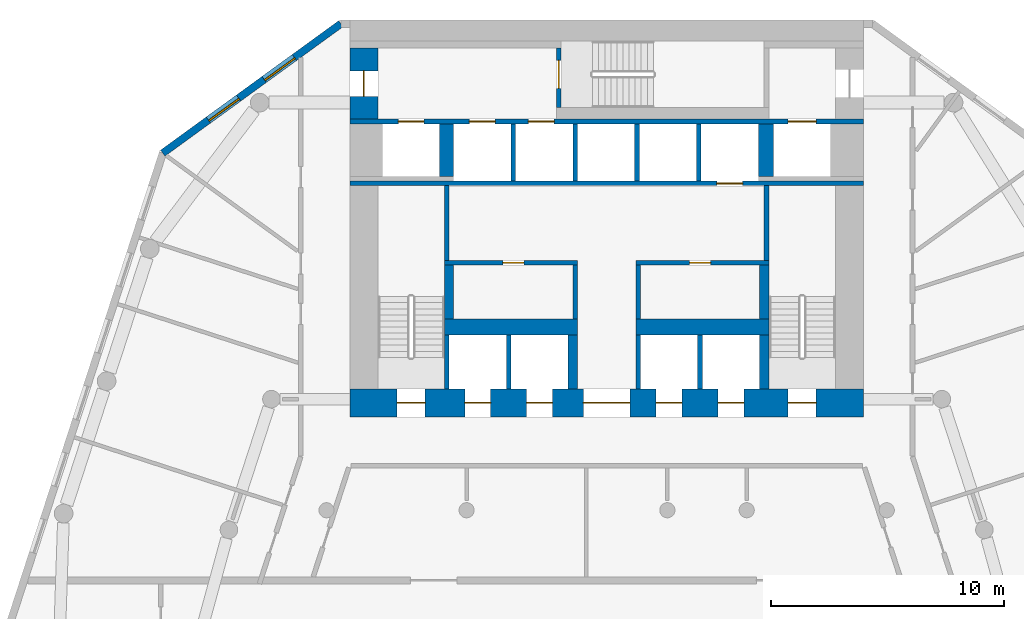
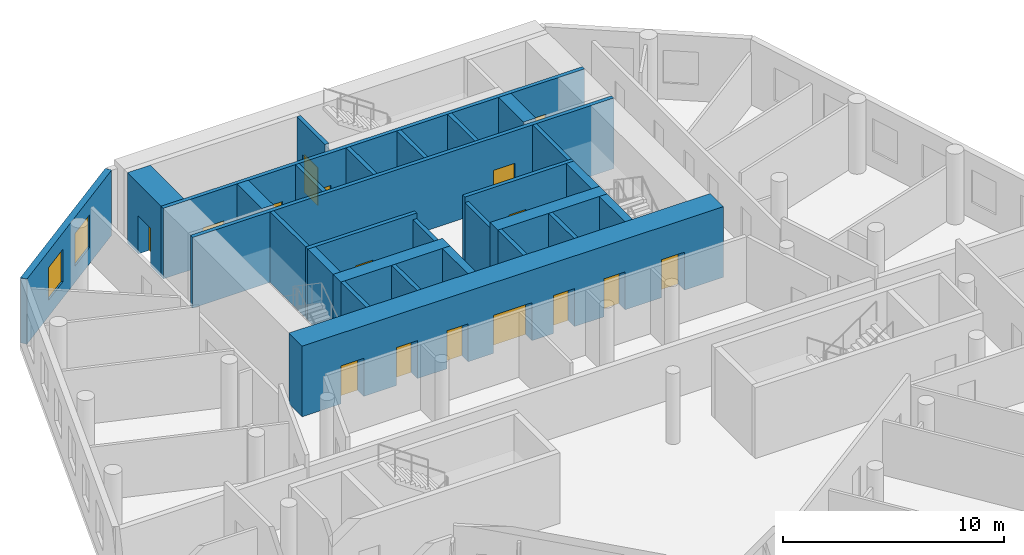
# One storey, part 5 of 9: 28 walls, 16 doors, 2 windows, 18 openings.
"""IFC4 building model written with IfcOpenShell, lengths in metres."""

from ifc_helpers import new_model, si_unit, direction, frame, frame_2d, origin, place, context, subcontext, project, spatial, rectangle, extrude, material, layer, layer_set, type_object, element, fill, save


model = new_model("IFC4")

# Units and contexts
model_context = context("Model", 3, precision=1e-05, world=origin(), true_north=direction((0.0, 1.0)))
body_context = subcontext(model_context, "Body", "Model", "MODEL_VIEW")
ifc_project = project(units=[si_unit("LENGTHUNIT", "METRE"), si_unit("AREAUNIT", "SQUARE_METRE"), si_unit("VOLUMEUNIT", "CUBIC_METRE"), si_unit("PLANEANGLEUNIT", "RADIAN"), si_unit("MASSUNIT", "GRAM", prefix="KILO")], contexts=[model_context])

# Site, building, storey
site_placement = place(None, origin())
site = spatial("IfcSite", under=ifc_project, at=site_placement, CompositionType="ELEMENT")
building_placement = place(site_placement, origin())
building = spatial("IfcBuilding", under=site, at=building_placement, Name="White Candle Pilgrim Tower", CompositionType="ELEMENT")
storey_placement = place(building_placement, frame((0.0, 0.0, 70.199951171875)))
storey = spatial("IfcBuildingStorey", under=building, at=storey_placement, Name="L14", CompositionType="ELEMENT", Elevation=70.199951171875)

# Wall, opening, door
ifc_material_1 = material(Name="Concrete C70/85", Category="concrete")
ifc_layer_1 = layer(ifc_material_1, 1.199951171875)
ifc_layer_set_1 = layer_set([ifc_layer_1], Name="Core wall 1200 mm Concrete C70/85")
wall_type_1 = type_object("IfcWallType", Name="Core wall 1200 mm Concrete C70/85", PredefinedType="SHEAR", material=ifc_layer_set_1)
wall_1_placement = place(storey_placement, frame((59.60009765625, 83.75, 0.0), z_axis=(0.0, 0.0, 1.0), x_axis=(0.0, 1.0, 0.0)))
wall_1 = element("IfcWall", 1, at=wall_1_placement, inside=storey, type_object=wall_type_1, Name="WL-L14-C42", PredefinedType="SHEAR", context=body_context, shape_type="SweptSolid", body=[
    extrude(rectangle(XDim=3.050048828125, YDim=1.199951171875, at=frame_2d((1.52490234375, 0.0))), origin(), (0.0, 0.0, 1.0), 3.900146484375),
])
opening_1_placement = place(wall_1_placement, frame((0.97509765625, 0.0, 0.0)))
opening_1 = element("IfcOpeningElement", 2, at=opening_1_placement, cuts=wall_1, Name="Opening T04-005", PredefinedType="OPENING", context=body_context, shape_type="SweptSolid", body=[
    extrude(rectangle(XDim=1.10009765625, YDim=2.10009765625, at=frame_2d((0.550048828125, 1.050048828125))), frame((0.0, 0.60986328125, 0.0), z_axis=(0.0, -1.0, 0.0), x_axis=(1.0, 0.0, 0.0)), (0.0, 0.0, 1.0), 1.219970703125),
])
ifc_material_2 = material(Name="Steel door leaf", Category="steel")
door_type_1 = type_object("IfcDoorType", Name="Fire door 1100 x 2100 EI 60", OperationType="NOTDEFINED", PredefinedType="DOOR", material=ifc_material_2)
door_1_placement = place(opening_1_placement, origin())
door_1 = element("IfcDoor", 3, at=door_1_placement, inside=storey, type_object=door_type_1, Name="Door T04-005", OperationType="SINGLE_SWING_LEFT", OverallHeight=2.10009765625, OverallWidth=1.10009765625, PredefinedType="DOOR", context=body_context, shape_type="SweptSolid", body=[
    extrude(rectangle(XDim=1.10009765625, YDim=2.10009765625, at=frame_2d((0.550048828125, 1.050048828125))), frame((0.0, 0.02490234375, 0.0), z_axis=(0.0, -1.0, 0.0), x_axis=(1.0, 0.0, 0.0)), (0.0, 0.0, 1.0), 0.050048828125),
])
fill(opening_1, door_1)

# Wall, openings, doors
ifc_layer_2 = layer(ifc_material_1, 0.199951171875)
ifc_layer_set_2 = layer_set([ifc_layer_2], Name="Core wall 200 mm Concrete C70/85")
wall_type_2 = type_object("IfcWallType", Name="Core wall 200 mm Concrete C70/85", PredefinedType="SHEAR", material=ifc_layer_set_2)
wall_2_placement = place(storey_placement, frame((59.0, 83.64990234375, 0.0), z_axis=(0.0, 0.0, 1.0), x_axis=(1.0, 0.0, 0.0)))
wall_2 = element("IfcWall", 4, at=wall_2_placement, inside=storey, type_object=wall_type_2, Name="WL-L14-C41", PredefinedType="SHEAR", context=body_context, shape_type="SweptSolid", body=[
    extrude(rectangle(XDim=22.0, YDim=0.199951171875, at=frame_2d((11.0, 0.0))), origin(), (0.0, 0.0, 1.0), 3.900146484375),
])
opening_2_placement = place(wall_2_placement, frame((5.125, 0.0, 0.0)))
opening_2 = element("IfcOpeningElement", 5, at=opening_2_placement, cuts=wall_2, Name="Opening T04-011", PredefinedType="OPENING", context=body_context, shape_type="SweptSolid", body=[
    extrude(rectangle(XDim=1.10009765625, YDim=2.10009765625, at=frame_2d((0.550048828125, 1.050048828125))), frame((0.0, 0.10986328125, 0.0), z_axis=(0.0, -1.0, 0.0), x_axis=(1.0, 0.0, 0.0)), (0.0, 0.0, 1.0), 0.219970703125),
])
opening_3_placement = place(wall_2_placement, frame((7.64990234375, 0.0, 0.0)))
opening_3 = element("IfcOpeningElement", 6, at=opening_3_placement, cuts=wall_2, Name="Opening T04-012", PredefinedType="OPENING", context=body_context, shape_type="SweptSolid", body=[
    extrude(rectangle(XDim=1.10009765625, YDim=2.10009765625, at=frame_2d((0.550048828125, 1.050048828125))), frame((0.0, 0.10986328125, 0.0), z_axis=(0.0, -1.0, 0.0), x_axis=(1.0, 0.0, 0.0)), (0.0, 0.0, 1.0), 0.219970703125),
])
opening_4_placement = place(wall_2_placement, frame((18.77490234375, 0.0, 0.0)))
opening_4 = element("IfcOpeningElement", 7, at=opening_4_placement, cuts=wall_2, Name="Opening T04-018", PredefinedType="OPENING", context=body_context, shape_type="SweptSolid", body=[
    extrude(rectangle(XDim=1.199951171875, YDim=2.10009765625, at=frame_2d((0.60009765625, 1.050048828125))), frame((0.0, 0.10986328125, 0.0), z_axis=(0.0, -1.0, 0.0), x_axis=(1.0, 0.0, 0.0)), (0.0, 0.0, 1.0), 0.219970703125),
])
opening_5_placement = place(wall_2_placement, frame((2.074951171875, 0.0, 0.0)))
opening_5 = element("IfcOpeningElement", 8, at=opening_5_placement, cuts=wall_2, Name="Opening T04-019", PredefinedType="OPENING", context=body_context, shape_type="SweptSolid", body=[
    extrude(rectangle(XDim=1.10009765625, YDim=2.10009765625, at=frame_2d((0.550048828125, 1.050048828125))), frame((0.0, 0.10986328125, 0.0), z_axis=(0.0, -1.0, 0.0), x_axis=(1.0, 0.0, 0.0)), (0.0, 0.0, 1.0), 0.219970703125),
])
ifc_material_3 = material(Name="Stainless steel", Category="steel")
door_type_2 = type_object("IfcDoorType", Name="Lift landing door 1100 x 2100 EI 60", OperationType="DOUBLE_DOOR_SLIDING", PredefinedType="DOOR", material=ifc_material_3)
door_2_placement = place(opening_2_placement, origin())
door_2 = element("IfcDoor", 9, at=door_2_placement, inside=storey, type_object=door_type_2, Name="Door T04-011", OperationType="DOUBLE_DOOR_SLIDING", OverallHeight=2.10009765625, OverallWidth=1.10009765625, PredefinedType="DOOR", context=body_context, shape_type="SweptSolid", body=[
    extrude(rectangle(XDim=1.10009765625, YDim=2.10009765625, at=frame_2d((0.550048828125, 1.050048828125))), frame((0.0, 0.02490234375, 0.0), z_axis=(0.0, -1.0, 0.0), x_axis=(1.0, 0.0, 0.0)), (0.0, 0.0, 1.0), 0.050048828125),
])
fill(opening_2, door_2)
door_3_placement = place(opening_3_placement, origin())
door_3 = element("IfcDoor", 10, at=door_3_placement, inside=storey, type_object=door_type_2, Name="Door T04-012", OperationType="DOUBLE_DOOR_SLIDING", OverallHeight=2.10009765625, OverallWidth=1.10009765625, PredefinedType="DOOR", context=body_context, shape_type="SweptSolid", body=[
    extrude(rectangle(XDim=1.10009765625, YDim=2.10009765625, at=frame_2d((0.550048828125, 1.050048828125))), frame((0.0, 0.02490234375, 0.0), z_axis=(0.0, -1.0, 0.0), x_axis=(1.0, 0.0, 0.0)), (0.0, 0.0, 1.0), 0.050048828125),
])
fill(opening_3, door_3)
door_4_placement = place(opening_5_placement, origin())
door_4 = element("IfcDoor", 11, at=door_4_placement, inside=storey, type_object=door_type_2, Name="Door T04-019", OperationType="DOUBLE_DOOR_SLIDING", OverallHeight=2.10009765625, OverallWidth=1.10009765625, PredefinedType="DOOR", context=body_context, shape_type="SweptSolid", body=[
    extrude(rectangle(XDim=1.10009765625, YDim=2.10009765625, at=frame_2d((0.550048828125, 1.050048828125))), frame((0.0, 0.02490234375, 0.0), z_axis=(0.0, -1.0, 0.0), x_axis=(1.0, 0.0, 0.0)), (0.0, 0.0, 1.0), 0.050048828125),
])
fill(opening_5, door_4)
door_type_3 = type_object("IfcDoorType", Name="Lift landing door 1200 x 2100 E 60", OperationType="DOUBLE_DOOR_SLIDING", PredefinedType="DOOR", material=ifc_material_3)
door_5_placement = place(opening_4_placement, origin())
door_5 = element("IfcDoor", 12, at=door_5_placement, inside=storey, type_object=door_type_3, Name="Door T04-018", OperationType="DOUBLE_DOOR_SLIDING", OverallHeight=2.10009765625, OverallWidth=1.199951171875, PredefinedType="DOOR", context=body_context, shape_type="SweptSolid", body=[
    extrude(rectangle(XDim=1.199951171875, YDim=2.10009765625, at=frame_2d((0.60009765625, 1.050048828125))), frame((0.0, 0.02490234375, 0.0), z_axis=(0.0, -1.0, 0.0), x_axis=(1.0, 0.0, 0.0)), (0.0, 0.0, 1.0), 0.050048828125),
])
fill(opening_4, door_5)

# Wall, openings, windows
ifc_material_4 = material(Name="Precast concrete C40/50", Category="concrete")
ifc_layer_3 = layer(ifc_material_4, 0.320068359375)
ifc_layer_set_3 = layer_set([ifc_layer_3], Name="Facade wall EW1 precast concrete C40/50 pier wall with timber-lined reveals")
wall_type_3 = type_object("IfcWallType", Name="Facade wall EW1 precast concrete C40/50 pier wall with timber-lined reveals", PredefinedType="SOLIDWALL", material=ifc_layer_set_3)
wall_3_placement = place(storey_placement, frame((58.614990234375, 87.840087890625, 0.0), z_axis=(0.0, 0.0, 1.0), x_axis=(-0.809013639072, -0.587789870443, 0.0)))
wall_3 = element("IfcWall", 13, at=wall_3_placement, inside=storey, type_object=wall_type_3, Name="Facade wall L14 NW chamfer", PredefinedType="SOLIDWALL", context=body_context, shape_type="SweptSolid", body=[
    extrude(rectangle(XDim=9.43017578125, YDim=0.320068359375, at=frame_2d((4.715087890625, 0.0))), origin(), (0.0, 0.0, 1.0), 3.60009765625),
])
opening_6_placement = place(wall_3_placement, frame((2.459716796875, 0.0, 0.89990234375)))
opening_6 = element("IfcOpeningElement", 14, at=opening_6_placement, cuts=wall_3, Name="Opening W2", PredefinedType="OPENING", context=body_context, shape_type="SweptSolid", body=[
    extrude(rectangle(XDim=1.60009765625, YDim=1.800048828125, at=frame_2d((0.800048828125, 0.89990234375))), frame((0.0, 0.169921875, 0.0), z_axis=(0.0, -1.0, 0.0), x_axis=(1.0, 0.0, 0.0)), (0.0, 0.0, 1.0), 0.340087890625),
])
opening_7_placement = place(wall_3_placement, frame((5.4150390625, 0.0, 0.89990234375)))
opening_7 = element("IfcOpeningElement", 15, at=opening_7_placement, cuts=wall_3, Name="Opening W2", PredefinedType="OPENING", context=body_context, shape_type="SweptSolid", body=[
    extrude(rectangle(XDim=1.60009765625, YDim=1.800048828125, at=frame_2d((0.800048828125, 0.89990234375))), frame((0.0, 0.169921875, 0.0), z_axis=(0.0, -1.0, 0.0), x_axis=(1.0, 0.0, 0.0)), (0.0, 0.0, 1.0), 0.340087890625),
])
ifc_material_5 = material(Name="Timber frame with triple glazing", Category="wood")
window_type = type_object("IfcWindowType", Name="Window W2 1600x1800 timber frame triple glazing", PartitioningType="SINGLE_PANEL", PredefinedType="WINDOW", material=ifc_material_5)
window_1_placement = place(opening_6_placement, origin())
window_1 = element("IfcWindow", 16, at=window_1_placement, inside=storey, type_object=window_type, Name="Window W2 L14 NW chamfer 1", OverallHeight=1.800048828125, OverallWidth=1.60009765625, PartitioningType="SINGLE_PANEL", PredefinedType="WINDOW", context=body_context, shape_type="SweptSolid", body=[
    extrude(rectangle(XDim=1.60009765625, YDim=1.800048828125, at=frame_2d((0.800048828125, 0.89990234375))), frame((0.0, 0.070068359375, 0.0), z_axis=(0.0, -1.0, 0.0), x_axis=(1.0, 0.0, 0.0)), (0.0, 0.0, 1.0), 0.06005859375),
])
fill(opening_6, window_1)
window_2_placement = place(opening_7_placement, origin())
window_2 = element("IfcWindow", 17, at=window_2_placement, inside=storey, type_object=window_type, Name="Window W2 L14 NW chamfer 2", OverallHeight=1.800048828125, OverallWidth=1.60009765625, PartitioningType="SINGLE_PANEL", PredefinedType="WINDOW", context=body_context, shape_type="SweptSolid", body=[
    extrude(rectangle(XDim=1.60009765625, YDim=1.800048828125, at=frame_2d((0.800048828125, 0.89990234375))), frame((0.0, 0.070068359375, 0.0), z_axis=(0.0, -1.0, 0.0), x_axis=(1.0, 0.0, 0.0)), (0.0, 0.0, 1.0), 0.06005859375),
])
fill(opening_7, window_2)

# Walls
ifc_material_6 = material(Name="Gypsum board on steel studs", Category="steel")
ifc_layer_4 = layer(ifc_material_6, 0.199951171875)
ifc_layer_set_4 = layer_set([ifc_layer_4], Name="Lobby wall 200 mm EI 60")
wall_type_4 = type_object("IfcWallType", Name="Lobby wall 200 mm EI 60", PredefinedType="PARTITIONING", material=ifc_layer_set_4)
for number, where, z_axis, x_axis, name in (
    (18, (68.64990234375, 75.199951171875, 0.0), (0.0, 0.0, 1.0), (0.0, 1.0, 0.0), "WL-L14-C23"),
    (19, (71.35009765625, 75.199951171875, 0.0), (0.0, 0.0, 1.0), (0.0, 1.0, 0.0), "WL-L14-C24"),
):
    element("IfcWall", number, at=place(storey_placement, frame(where, z_axis=z_axis, x_axis=x_axis)), inside=storey, type_object=wall_type_4, Name=name, PredefinedType="PARTITIONING", context=body_context, shape_type="SweptSolid", body=[
        extrude(rectangle(XDim=2.300048828125, YDim=0.199951171875, at=frame_2d((1.14990234375, 0.0))), origin(), (0.0, 0.0, 1.0), 3.60009765625),
    ])
ifc_layer_5 = layer(ifc_material_1, 0.199951171875)
ifc_layer_set_5 = layer_set([ifc_layer_5], Name="Shaft wall 200 mm Concrete C70/85")
wall_type_5 = type_object("IfcWallType", Name="Shaft wall 200 mm Concrete C70/85", PredefinedType="SHEAR", material=ifc_layer_set_5)
for number, where, z_axis, x_axis, name in (
    (20, (65.800048828125, 72.199951171875, 0.0), (0.0, 0.0, 1.0), (0.0, 1.0, 0.0), "WL-L14-C14"),
    (21, (71.35009765625, 72.199951171875, 0.0), (0.0, 0.0, 1.0), (0.0, 1.0, 0.0), "WL-L14-C16"),
    (22, (74.0, 72.199951171875, 0.0), (0.0, 0.0, 1.0), (0.0, 1.0, 0.0), "WL-L14-C17"),
):
    element("IfcWall", number, at=place(storey_placement, frame(where, z_axis=z_axis, x_axis=x_axis)), inside=storey, type_object=wall_type_5, Name=name, PredefinedType="SHEAR", context=body_context, shape_type="SweptSolid", body=[
        extrude(rectangle(XDim=2.300048828125, YDim=0.199951171875, at=frame_2d((1.14990234375, 0.0))), origin(), (0.0, 0.0, 1.0), 3.900146484375),
    ])
for number, where, z_axis, x_axis, name in (
    (23, (66.0, 81.10009765625, 0.0), (0.0, 0.0, 1.0), (0.0, 1.0, 0.0), "WL-L14-C32"),
    (24, (68.64990234375, 81.10009765625, 0.0), (0.0, 0.0, 1.0), (0.0, 1.0, 0.0), "WL-L14-C33"),
    (25, (71.300048828125, 81.10009765625, 0.0), (0.0, 0.0, 1.0), (0.0, 1.0, 0.0), "WL-L14-C34"),
    (26, (73.949951171875, 81.10009765625, 0.0), (0.0, 0.0, 1.0), (0.0, 1.0, 0.0), "WL-L14-C35"),
):
    element("IfcWall", number, at=place(storey_placement, frame(where, z_axis=z_axis, x_axis=x_axis)), inside=storey, type_object=wall_type_5, Name=name, PredefinedType="SHEAR", context=body_context, shape_type="SweptSolid", body=[
        extrude(rectangle(XDim=2.449951171875, YDim=0.199951171875, at=frame_2d((1.22509765625, 0.0))), origin(), (0.0, 0.0, 1.0), 3.900146484375),
    ])
ifc_layer_6 = layer(ifc_material_1, 0.39990234375)
ifc_layer_set_6 = layer_set([ifc_layer_6], Name="Shaft wall 400 mm Concrete C70/85")
wall_type_6 = type_object("IfcWallType", Name="Shaft wall 400 mm Concrete C70/85", PredefinedType="SHEAR", material=ifc_layer_set_6)
wall_4_placement = place(storey_placement, frame((68.550048828125, 72.199951171875, 0.0), z_axis=(0.0, 0.0, 1.0), x_axis=(0.0, 1.0, 0.0)))
element("IfcWall", 27, at=wall_4_placement, inside=storey, type_object=wall_type_6, Name="WL-L14-C15", PredefinedType="SHEAR", context=body_context, shape_type="SweptSolid", body=[
    extrude(rectangle(XDim=2.300048828125, YDim=0.39990234375, at=frame_2d((1.14990234375, 0.0))), origin(), (0.0, 0.0, 1.0), 3.900146484375),
])
ifc_layer_7 = layer(ifc_material_1, 0.60009765625)
ifc_layer_set_7 = layer_set([ifc_layer_7], Name="Shaft wall 600 mm Concrete C70/85")
wall_type_7 = type_object("IfcWallType", Name="Shaft wall 600 mm Concrete C70/85", PredefinedType="SHEAR", material=ifc_layer_set_7)
wall_5_placement = place(storey_placement, frame((63.14990234375, 81.300048828125, 0.0), z_axis=(0.0, 0.0, 1.0), x_axis=(0.0, 1.0, 0.0)))
element("IfcWall", 28, at=wall_5_placement, inside=storey, type_object=wall_type_7, Name="WL-L14-C38", PredefinedType="SHEAR", context=body_context, shape_type="SweptSolid", body=[
    extrude(rectangle(XDim=2.25, YDim=0.60009765625, at=frame_2d((1.125, 0.0))), origin(), (0.0, 0.0, 1.0), 3.900146484375),
])
ifc_layer_8 = layer(ifc_material_1, 0.64990234375)
ifc_layer_set_8 = layer_set([ifc_layer_8], Name="Shaft wall 650 mm Concrete C70/85")
wall_type_8 = type_object("IfcWallType", Name="Shaft wall 650 mm Concrete C70/85", PredefinedType="SHEAR", material=ifc_layer_set_8)
wall_6_placement = place(storey_placement, frame((76.824951171875, 81.300048828125, 0.0), z_axis=(0.0, 0.0, 1.0), x_axis=(0.0, 1.0, 0.0)))
element("IfcWall", 29, at=wall_6_placement, inside=storey, type_object=wall_type_8, Name="WL-L14-C39", PredefinedType="SHEAR", context=body_context, shape_type="SweptSolid", body=[
    extrude(rectangle(XDim=2.25, YDim=0.64990234375, at=frame_2d((1.125, 0.0))), origin(), (0.0, 0.0, 1.0), 3.900146484375),
])

# Wall, openings, doors
ifc_layer_9 = layer(ifc_material_1, 1.199951171875)
ifc_layer_set_9 = layer_set([ifc_layer_9], Name="Stair shaft wall 1200 mm Concrete C70/85")
wall_type_9 = type_object("IfcWallType", Name="Stair shaft wall 1200 mm Concrete C70/85", PredefinedType="SHEAR", material=ifc_layer_set_9)
wall_7_placement = place(storey_placement, frame((59.0, 71.60009765625, 0.0), z_axis=(0.0, 0.0, 1.0), x_axis=(1.0, 0.0, 0.0)))
wall_7 = element("IfcWall", 30, at=wall_7_placement, inside=storey, type_object=wall_type_9, Name="WL-L14-C11", PredefinedType="SHEAR", context=body_context, shape_type="SweptSolid", body=[
    extrude(rectangle(XDim=22.0, YDim=1.199951171875, at=frame_2d((11.0, 0.0))), origin(), (0.0, 0.0, 1.0), 3.900146484375),
])
opening_8_placement = place(wall_7_placement, frame((2.02490234375, 0.0, 0.0)))
opening_8 = element("IfcOpeningElement", 31, at=opening_8_placement, cuts=wall_7, Name="Opening T04-001", PredefinedType="OPENING", context=body_context, shape_type="SweptSolid", body=[
    extrude(rectangle(XDim=1.199951171875, YDim=2.10009765625, at=frame_2d((0.60009765625, 1.050048828125))), frame((0.0, 0.60986328125, 0.0), z_axis=(0.0, -1.0, 0.0), x_axis=(1.0, 0.0, 0.0)), (0.0, 0.0, 1.0), 1.219970703125),
])
opening_9_placement = place(wall_7_placement, frame((18.77490234375, 0.0, 0.0)))
opening_9 = element("IfcOpeningElement", 32, at=opening_9_placement, cuts=wall_7, Name="Opening T04-002", PredefinedType="OPENING", context=body_context, shape_type="SweptSolid", body=[
    extrude(rectangle(XDim=1.199951171875, YDim=2.10009765625, at=frame_2d((0.60009765625, 1.050048828125))), frame((0.0, 0.60986328125, 0.0), z_axis=(0.0, -1.0, 0.0), x_axis=(1.0, 0.0, 0.0)), (0.0, 0.0, 1.0), 1.219970703125),
])
opening_10_placement = place(wall_7_placement, frame((10.0, 0.0, 0.0)))
opening_10 = element("IfcOpeningElement", 33, at=opening_10_placement, cuts=wall_7, Name="Opening T04-004", PredefinedType="OPENING", context=body_context, shape_type="SweptSolid", body=[
    extrude(rectangle(XDim=2.0, YDim=2.10009765625, at=frame_2d((1.0, 1.050048828125))), frame((0.0, 0.60986328125, 0.0), z_axis=(0.0, -1.0, 0.0), x_axis=(1.0, 0.0, 0.0)), (0.0, 0.0, 1.0), 1.219970703125),
])
opening_11_placement = place(wall_7_placement, frame((4.925048828125, 0.0, 0.0)))
opening_11 = element("IfcOpeningElement", 34, at=opening_11_placement, cuts=wall_7, Name="Opening T04-014", PredefinedType="OPENING", context=body_context, shape_type="SweptSolid", body=[
    extrude(rectangle(XDim=1.10009765625, YDim=2.10009765625, at=frame_2d((0.550048828125, 1.050048828125))), frame((0.0, 0.60986328125, 0.0), z_axis=(0.0, -1.0, 0.0), x_axis=(1.0, 0.0, 0.0)), (0.0, 0.0, 1.0), 1.219970703125),
])
opening_12_placement = place(wall_7_placement, frame((7.574951171875, 0.0, 0.0)))
opening_12 = element("IfcOpeningElement", 35, at=opening_12_placement, cuts=wall_7, Name="Opening T04-015", PredefinedType="OPENING", context=body_context, shape_type="SweptSolid", body=[
    extrude(rectangle(XDim=1.10009765625, YDim=2.10009765625, at=frame_2d((0.550048828125, 1.050048828125))), frame((0.0, 0.60986328125, 0.0), z_axis=(0.0, -1.0, 0.0), x_axis=(1.0, 0.0, 0.0)), (0.0, 0.0, 1.0), 1.219970703125),
])
opening_13_placement = place(wall_7_placement, frame((13.125, 0.0, 0.0)))
opening_13 = element("IfcOpeningElement", 36, at=opening_13_placement, cuts=wall_7, Name="Opening T04-016", PredefinedType="OPENING", context=body_context, shape_type="SweptSolid", body=[
    extrude(rectangle(XDim=1.10009765625, YDim=2.10009765625, at=frame_2d((0.550048828125, 1.050048828125))), frame((0.0, 0.60986328125, 0.0), z_axis=(0.0, -1.0, 0.0), x_axis=(1.0, 0.0, 0.0)), (0.0, 0.0, 1.0), 1.219970703125),
])
opening_14_placement = place(wall_7_placement, frame((15.77490234375, 0.0, 0.0)))
opening_14 = element("IfcOpeningElement", 37, at=opening_14_placement, cuts=wall_7, Name="Opening T04-017", PredefinedType="OPENING", context=body_context, shape_type="SweptSolid", body=[
    extrude(rectangle(XDim=1.10009765625, YDim=2.10009765625, at=frame_2d((0.550048828125, 1.050048828125))), frame((0.0, 0.60986328125, 0.0), z_axis=(0.0, -1.0, 0.0), x_axis=(1.0, 0.0, 0.0)), (0.0, 0.0, 1.0), 1.219970703125),
])
door_type_4 = type_object("IfcDoorType", Name="Fire door 1200 x 2100 EI 60", OperationType="NOTDEFINED", PredefinedType="DOOR", material=ifc_material_2)
door_6_placement = place(opening_8_placement, frame((1.199951171875, 0.0, 0.0), z_axis=(0.0, 0.0, 1.0), x_axis=(-1.0, 0.0, 0.0)))
door_6 = element("IfcDoor", 38, at=door_6_placement, inside=storey, type_object=door_type_4, Name="Door T04-001", OperationType="SINGLE_SWING_RIGHT", OverallHeight=2.10009765625, OverallWidth=1.199951171875, PredefinedType="DOOR", context=body_context, shape_type="SweptSolid", body=[
    extrude(rectangle(XDim=1.199951171875, YDim=2.10009765625, at=frame_2d((0.60009765625, 1.050048828125))), frame((0.0, 0.02490234375, 0.0), z_axis=(0.0, -1.0, 0.0), x_axis=(1.0, 0.0, 0.0)), (0.0, 0.0, 1.0), 0.050048828125),
])
fill(opening_8, door_6)
door_7_placement = place(opening_9_placement, frame((1.199951171875, 0.0, 0.0), z_axis=(0.0, 0.0, 1.0), x_axis=(-1.0, 0.0, 0.0)))
door_7 = element("IfcDoor", 39, at=door_7_placement, inside=storey, type_object=door_type_4, Name="Door T04-002", OperationType="SINGLE_SWING_LEFT", OverallHeight=2.10009765625, OverallWidth=1.199951171875, PredefinedType="DOOR", context=body_context, shape_type="SweptSolid", body=[
    extrude(rectangle(XDim=1.199951171875, YDim=2.10009765625, at=frame_2d((0.60009765625, 1.050048828125))), frame((0.0, 0.02490234375, 0.0), z_axis=(0.0, -1.0, 0.0), x_axis=(1.0, 0.0, 0.0)), (0.0, 0.0, 1.0), 0.050048828125),
])
fill(opening_9, door_7)
door_type_5 = type_object("IfcDoorType", Name="Fire door 2000 x 2100 EI 60", OperationType="NOTDEFINED", PredefinedType="DOOR", material=ifc_material_2)
door_8_placement = place(opening_10_placement, frame((2.0, 0.0, 0.0), z_axis=(0.0, 0.0, 1.0), x_axis=(-1.0, 0.0, 0.0)))
door_8 = element("IfcDoor", 40, at=door_8_placement, inside=storey, type_object=door_type_5, Name="Door T04-004", OperationType="DOUBLE_DOOR_SINGLE_SWING", OverallHeight=2.10009765625, OverallWidth=2.0, PredefinedType="DOOR", context=body_context, shape_type="SweptSolid", body=[
    extrude(rectangle(XDim=2.0, YDim=2.10009765625, at=frame_2d((1.0, 1.050048828125))), frame((0.0, 0.02490234375, 0.0), z_axis=(0.0, -1.0, 0.0), x_axis=(1.0, 0.0, 0.0)), (0.0, 0.0, 1.0), 0.050048828125),
])
fill(opening_10, door_8)
door_type_6 = type_object("IfcDoorType", Name="Lift landing door 1100 x 2100 E 60", OperationType="DOUBLE_DOOR_SLIDING", PredefinedType="DOOR", material=ifc_material_3)
door_9_placement = place(opening_11_placement, origin())
door_9 = element("IfcDoor", 41, at=door_9_placement, inside=storey, type_object=door_type_6, Name="Door T04-014", OperationType="DOUBLE_DOOR_SLIDING", OverallHeight=2.10009765625, OverallWidth=1.10009765625, PredefinedType="DOOR", context=body_context, shape_type="SweptSolid", body=[
    extrude(rectangle(XDim=1.10009765625, YDim=2.10009765625, at=frame_2d((0.550048828125, 1.050048828125))), frame((0.0, 0.02490234375, 0.0), z_axis=(0.0, -1.0, 0.0), x_axis=(1.0, 0.0, 0.0)), (0.0, 0.0, 1.0), 0.050048828125),
])
fill(opening_11, door_9)
door_10_placement = place(opening_12_placement, origin())
door_10 = element("IfcDoor", 42, at=door_10_placement, inside=storey, type_object=door_type_6, Name="Door T04-015", OperationType="DOUBLE_DOOR_SLIDING", OverallHeight=2.10009765625, OverallWidth=1.10009765625, PredefinedType="DOOR", context=body_context, shape_type="SweptSolid", body=[
    extrude(rectangle(XDim=1.10009765625, YDim=2.10009765625, at=frame_2d((0.550048828125, 1.050048828125))), frame((0.0, 0.02490234375, 0.0), z_axis=(0.0, -1.0, 0.0), x_axis=(1.0, 0.0, 0.0)), (0.0, 0.0, 1.0), 0.050048828125),
])
fill(opening_12, door_10)
door_11_placement = place(opening_13_placement, origin())
door_11 = element("IfcDoor", 43, at=door_11_placement, inside=storey, type_object=door_type_6, Name="Door T04-016", OperationType="DOUBLE_DOOR_SLIDING", OverallHeight=2.10009765625, OverallWidth=1.10009765625, PredefinedType="DOOR", context=body_context, shape_type="SweptSolid", body=[
    extrude(rectangle(XDim=1.10009765625, YDim=2.10009765625, at=frame_2d((0.550048828125, 1.050048828125))), frame((0.0, 0.02490234375, 0.0), z_axis=(0.0, -1.0, 0.0), x_axis=(1.0, 0.0, 0.0)), (0.0, 0.0, 1.0), 0.050048828125),
])
fill(opening_13, door_11)
door_12_placement = place(opening_14_placement, origin())
door_12 = element("IfcDoor", 44, at=door_12_placement, inside=storey, type_object=door_type_6, Name="Door T04-017", OperationType="DOUBLE_DOOR_SLIDING", OverallHeight=2.10009765625, OverallWidth=1.10009765625, PredefinedType="DOOR", context=body_context, shape_type="SweptSolid", body=[
    extrude(rectangle(XDim=1.10009765625, YDim=2.10009765625, at=frame_2d((0.550048828125, 1.050048828125))), frame((0.0, 0.02490234375, 0.0), z_axis=(0.0, -1.0, 0.0), x_axis=(1.0, 0.0, 0.0)), (0.0, 0.0, 1.0), 0.050048828125),
])
fill(opening_14, door_12)

# Wall
ifc_layer_10 = layer(ifc_material_1, 0.199951171875)
ifc_layer_set_10 = layer_set([ifc_layer_10], Name="Stair shaft wall 200 mm Concrete C70/85")
wall_type_10 = type_object("IfcWallType", Name="Stair shaft wall 200 mm Concrete C70/85", PredefinedType="SHEAR", material=ifc_layer_set_10)
wall_8_placement = place(storey_placement, frame((63.14990234375, 72.199951171875, 0.0), z_axis=(0.0, 0.0, 1.0), x_axis=(0.0, 1.0, 0.0)))
element("IfcWall", 45, at=wall_8_placement, inside=storey, type_object=wall_type_10, Name="WL-L14-C13", PredefinedType="SHEAR", context=body_context, shape_type="SweptSolid", body=[
    extrude(rectangle(XDim=2.300048828125, YDim=0.199951171875, at=frame_2d((1.14990234375, 0.0))), origin(), (0.0, 0.0, 1.0), 3.900146484375),
])

# Wall, opening, door
wall_9_placement = place(storey_placement, frame((63.050048828125, 77.60009765625, 0.0), z_axis=(0.0, 0.0, 1.0), x_axis=(1.0, 0.0, 0.0)))
wall_9 = element("IfcWall", 46, at=wall_9_placement, inside=storey, type_object=wall_type_10, Name="WL-L14-C26", PredefinedType="SHEAR", context=body_context, shape_type="SweptSolid", body=[
    extrude(rectangle(XDim=5.699951171875, YDim=0.199951171875, at=frame_2d((2.85009765625, 0.0))), origin(), (0.0, 0.0, 1.0), 3.900146484375),
])
opening_15_placement = place(wall_9_placement, frame((2.5, 0.0, 0.0)))
opening_15 = element("IfcOpeningElement", 47, at=opening_15_placement, cuts=wall_9, Name="Opening T04-020", PredefinedType="OPENING", context=body_context, shape_type="SweptSolid", body=[
    extrude(rectangle(XDim=0.89990234375, YDim=2.10009765625, at=frame_2d((0.449951171875, 1.050048828125))), frame((0.0, 0.10986328125, 0.0), z_axis=(0.0, -1.0, 0.0), x_axis=(1.0, 0.0, 0.0)), (0.0, 0.0, 1.0), 0.219970703125),
])
door_type_7 = type_object("IfcDoorType", Name="Fire door 900 x 2100 EI 30", OperationType="NOTDEFINED", PredefinedType="DOOR", material=ifc_material_2)
door_13_placement = place(opening_15_placement, origin())
door_13 = element("IfcDoor", 48, at=door_13_placement, inside=storey, type_object=door_type_7, Name="Door T04-020", OperationType="SINGLE_SWING_RIGHT", OverallHeight=2.10009765625, OverallWidth=0.89990234375, PredefinedType="DOOR", context=body_context, shape_type="SweptSolid", body=[
    extrude(rectangle(XDim=0.89990234375, YDim=2.10009765625, at=frame_2d((0.449951171875, 1.050048828125))), frame((0.0, 0.02490234375, 0.0), z_axis=(0.0, -1.0, 0.0), x_axis=(1.0, 0.0, 0.0)), (0.0, 0.0, 1.0), 0.050048828125),
])
fill(opening_15, door_13)

wall_10_placement = place(storey_placement, frame((71.25, 77.60009765625, 0.0), z_axis=(0.0, 0.0, 1.0), x_axis=(1.0, 0.0, 0.0)))
wall_10 = element("IfcWall", 49, at=wall_10_placement, inside=storey, type_object=wall_type_10, Name="WL-L14-C27", PredefinedType="SHEAR", context=body_context, shape_type="SweptSolid", body=[
    extrude(rectangle(XDim=5.699951171875, YDim=0.199951171875, at=frame_2d((2.85009765625, 0.0))), origin(), (0.0, 0.0, 1.0), 3.900146484375),
])
opening_16_placement = place(wall_10_placement, frame((2.300048828125, 0.0, 0.0)))
opening_16 = element("IfcOpeningElement", 50, at=opening_16_placement, cuts=wall_10, Name="Opening T04-021", PredefinedType="OPENING", context=body_context, shape_type="SweptSolid", body=[
    extrude(rectangle(XDim=0.89990234375, YDim=2.10009765625, at=frame_2d((0.449951171875, 1.050048828125))), frame((0.0, 0.10986328125, 0.0), z_axis=(0.0, -1.0, 0.0), x_axis=(1.0, 0.0, 0.0)), (0.0, 0.0, 1.0), 0.219970703125),
])
door_14_placement = place(opening_16_placement, origin())
door_14 = element("IfcDoor", 51, at=door_14_placement, inside=storey, type_object=door_type_7, Name="Door T04-021", OperationType="SINGLE_SWING_LEFT", OverallHeight=2.10009765625, OverallWidth=0.89990234375, PredefinedType="DOOR", context=body_context, shape_type="SweptSolid", body=[
    extrude(rectangle(XDim=0.89990234375, YDim=2.10009765625, at=frame_2d((0.449951171875, 1.050048828125))), frame((0.0, 0.02490234375, 0.0), z_axis=(0.0, -1.0, 0.0), x_axis=(1.0, 0.0, 0.0)), (0.0, 0.0, 1.0), 0.050048828125),
])
fill(opening_16, door_14)

# Walls
for number, where, z_axis, x_axis, name in (
    (52, (63.14990234375, 77.699951171875, 0.0), (0.0, 0.0, 1.0), (0.0, 1.0, 0.0), "WL-L14-C28"),
    (53, (76.85009765625, 77.699951171875, 0.0), (0.0, 0.0, 1.0), (0.0, 1.0, 0.0), "WL-L14-C29"),
):
    element("IfcWall", number, at=place(storey_placement, frame(where, z_axis=z_axis, x_axis=x_axis)), inside=storey, type_object=wall_type_10, Name=name, PredefinedType="SHEAR", context=body_context, shape_type="SweptSolid", body=[
        extrude(rectangle(XDim=3.199951171875, YDim=0.199951171875, at=frame_2d((1.60009765625, 0.0))), origin(), (0.0, 0.0, 1.0), 3.900146484375),
    ])

# Wall, opening, door
wall_11_placement = place(storey_placement, frame((59.0, 81.0, 0.0), z_axis=(0.0, 0.0, 1.0), x_axis=(1.0, 0.0, 0.0)))
wall_11 = element("IfcWall", 54, at=wall_11_placement, inside=storey, type_object=wall_type_10, Name="WL-L14-C30", PredefinedType="SHEAR", context=body_context, shape_type="SweptSolid", body=[
    extrude(rectangle(XDim=22.0, YDim=0.199951171875, at=frame_2d((11.0, 0.0))), origin(), (0.0, 0.0, 1.0), 3.900146484375),
])
opening_17_placement = place(wall_11_placement, frame((15.72509765625, 0.0, 0.0)))
opening_17 = element("IfcOpeningElement", 55, at=opening_17_placement, cuts=wall_11, Name="Opening T04-013", PredefinedType="OPENING", context=body_context, shape_type="SweptSolid", body=[
    extrude(rectangle(XDim=1.10009765625, YDim=2.10009765625, at=frame_2d((0.550048828125, 1.050048828125))), frame((0.0, 0.10986328125, 0.0), z_axis=(0.0, -1.0, 0.0), x_axis=(1.0, 0.0, 0.0)), (0.0, 0.0, 1.0), 0.219970703125),
])
door_15_placement = place(opening_17_placement, origin())
door_15 = element("IfcDoor", 56, at=door_15_placement, inside=storey, type_object=door_type_6, Name="Door T04-013", OperationType="DOUBLE_DOOR_SLIDING", OverallHeight=2.10009765625, OverallWidth=1.10009765625, PredefinedType="DOOR", context=body_context, shape_type="SweptSolid", body=[
    extrude(rectangle(XDim=1.10009765625, YDim=2.10009765625, at=frame_2d((0.550048828125, 1.050048828125))), frame((0.0, 0.02490234375, 0.0), z_axis=(0.0, -1.0, 0.0), x_axis=(1.0, 0.0, 0.0)), (0.0, 0.0, 1.0), 0.050048828125),
])
fill(opening_17, door_15)

wall_12_placement = place(storey_placement, frame((67.949951171875, 84.25, 0.0), z_axis=(0.0, 0.0, 1.0), x_axis=(0.0, 1.0, 0.0)))
wall_12 = element("IfcWall", 57, at=wall_12_placement, inside=storey, type_object=wall_type_10, Name="WL-L14-C45", PredefinedType="SHEAR", context=body_context, shape_type="SweptSolid", body=[
    extrude(rectangle(XDim=2.550048828125, YDim=0.199951171875, at=frame_2d((1.27490234375, 0.0))), origin(), (0.0, 0.0, 1.0), 3.900146484375),
])
opening_18_placement = place(wall_12_placement, frame((0.824951171875, 0.0, 0.0)))
opening_18 = element("IfcOpeningElement", 58, at=opening_18_placement, cuts=wall_12, Name="Opening T04-003", PredefinedType="OPENING", context=body_context, shape_type="SweptSolid", body=[
    extrude(rectangle(XDim=1.199951171875, YDim=2.10009765625, at=frame_2d((0.60009765625, 1.050048828125))), frame((0.0, 0.10986328125, 0.0), z_axis=(0.0, -1.0, 0.0), x_axis=(1.0, 0.0, 0.0)), (0.0, 0.0, 1.0), 0.219970703125),
])
door_16_placement = place(opening_18_placement, frame((1.199951171875, 0.0, 0.0), z_axis=(0.0, 0.0, 1.0), x_axis=(-1.0, 0.0, 0.0)))
door_16 = element("IfcDoor", 59, at=door_16_placement, inside=storey, type_object=door_type_4, Name="Door T04-003", OperationType="SINGLE_SWING_RIGHT", OverallHeight=2.10009765625, OverallWidth=1.199951171875, PredefinedType="DOOR", context=body_context, shape_type="SweptSolid", body=[
    extrude(rectangle(XDim=1.199951171875, YDim=2.10009765625, at=frame_2d((0.60009765625, 1.050048828125))), frame((0.0, 0.02490234375, 0.0), z_axis=(0.0, -1.0, 0.0), x_axis=(1.0, 0.0, 0.0)), (0.0, 0.0, 1.0), 0.050048828125),
])
fill(opening_18, door_16)

# Walls
ifc_layer_11 = layer(ifc_material_1, 0.39990234375)
ifc_layer_set_11 = layer_set([ifc_layer_11], Name="Stair shaft wall 400 mm Concrete C70/85")
wall_type_11 = type_object("IfcWallType", Name="Stair shaft wall 400 mm Concrete C70/85", PredefinedType="SHEAR", material=ifc_layer_set_11)
for number, where, z_axis, x_axis, name in (
    (60, (76.75, 72.199951171875, 0.0), (0.0, 0.0, 1.0), (0.0, 1.0, 0.0), "WL-L14-C18"),
    (61, (63.25, 75.199951171875, 0.0), (0.0, 0.0, 1.0), (0.0, 1.0, 0.0), "WL-L14-C22"),
    (62, (76.75, 75.199951171875, 0.0), (0.0, 0.0, 1.0), (0.0, 1.0, 0.0), "WL-L14-C25"),
):
    element("IfcWall", number, at=place(storey_placement, frame(where, z_axis=z_axis, x_axis=x_axis)), inside=storey, type_object=wall_type_11, Name=name, PredefinedType="SHEAR", context=body_context, shape_type="SweptSolid", body=[
        extrude(rectangle(XDim=2.300048828125, YDim=0.39990234375, at=frame_2d((1.14990234375, 0.0))), origin(), (0.0, 0.0, 1.0), 3.900146484375),
    ])
ifc_layer_12 = layer(ifc_material_1, 0.699951171875)
ifc_layer_set_12 = layer_set([ifc_layer_12], Name="Stair shaft wall 700 mm Concrete C70/85")
wall_type_12 = type_object("IfcWallType", Name="Stair shaft wall 700 mm Concrete C70/85", PredefinedType="SHEAR", material=ifc_layer_set_12)
for number, where, z_axis, x_axis, name in (
    (63, (63.050048828125, 74.85009765625, 0.0), (0.0, 0.0, 1.0), (1.0, 0.0, 0.0), "WL-L14-C20"),
    (64, (71.25, 74.85009765625, 0.0), (0.0, 0.0, 1.0), (1.0, 0.0, 0.0), "WL-L14-C21"),
):
    element("IfcWall", number, at=place(storey_placement, frame(where, z_axis=z_axis, x_axis=x_axis)), inside=storey, type_object=wall_type_12, Name=name, PredefinedType="SHEAR", context=body_context, shape_type="SweptSolid", body=[
        extrude(rectangle(XDim=5.699951171875, YDim=0.699951171875, at=frame_2d((2.85009765625, 0.0))), origin(), (0.0, 0.0, 1.0), 3.900146484375),
    ])

save(model, "model.ifc")
